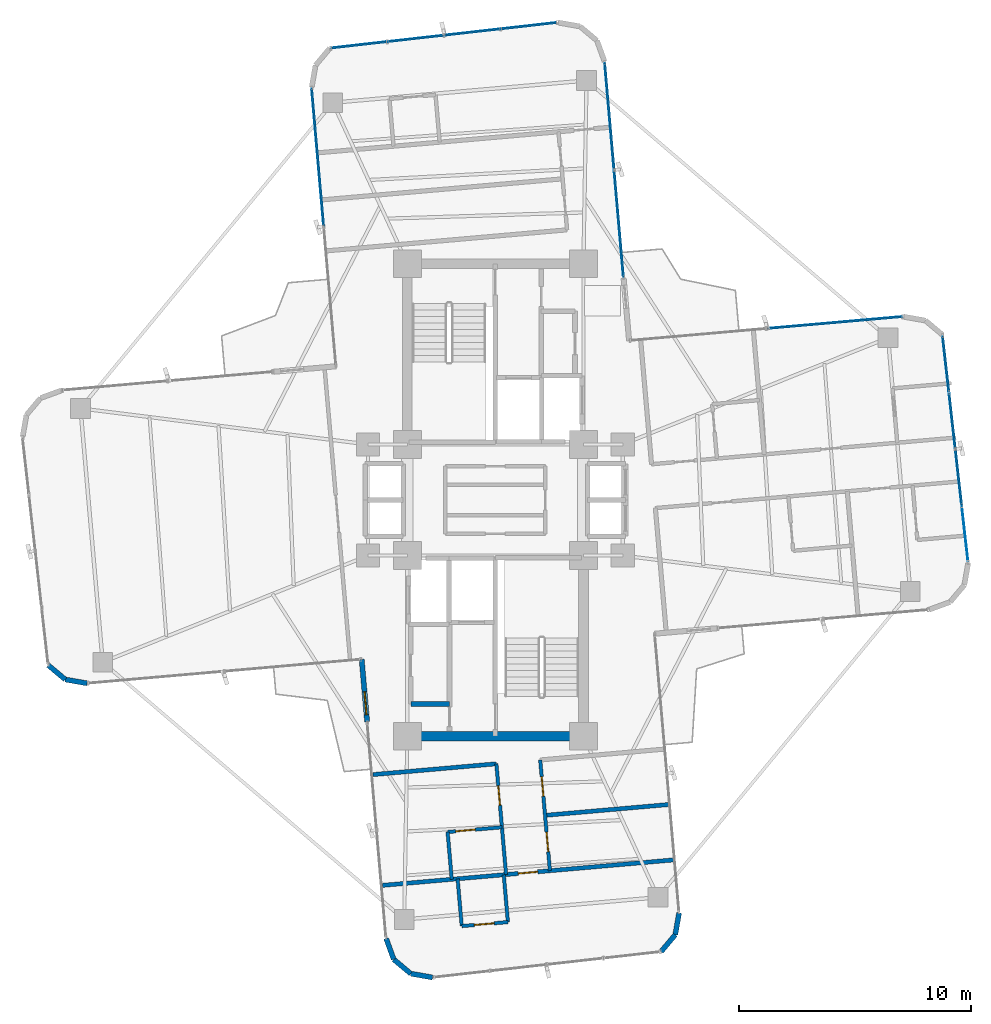
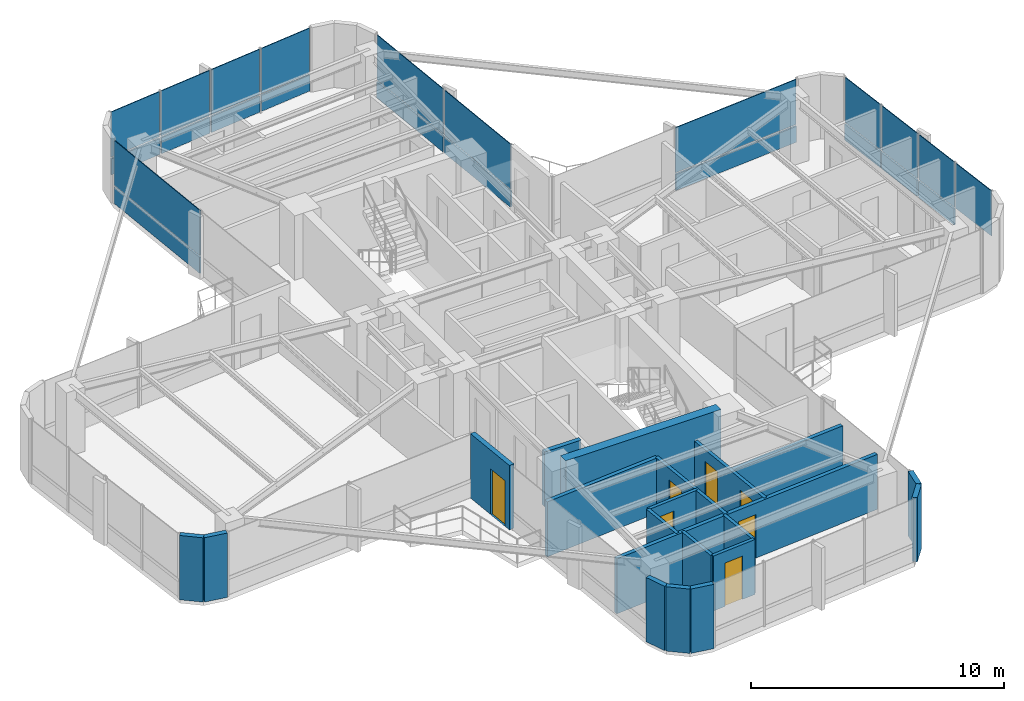
# One storey, part 20 of 24: 23 plates, 20 walls, 7 doors, 7 openings, 5 elements without a shape of their own.
"""IFC4 building model written with IfcOpenShell, lengths in metres."""

from ifc_helpers import new_model, si_unit, direction, frame, frame_2d, origin, origin_2d, place, context, subcontext, project, spatial, rectangle, extrude, source, transform, mapped, material, layer, layer_set, type_object, element, fill, aggregate, save


model = new_model("IFC4")

# Units and contexts
model_context = context("Model", 3, precision=1e-05, world=origin(), true_north=direction((0.0, 1.0)))
body_context = subcontext(model_context, "Body", "Model", "MODEL_VIEW")
ifc_project = project(units=[si_unit("LENGTHUNIT", "METRE"), si_unit("AREAUNIT", "SQUARE_METRE"), si_unit("VOLUMEUNIT", "CUBIC_METRE"), si_unit("PLANEANGLEUNIT", "RADIAN"), si_unit("MASSUNIT", "GRAM", prefix="KILO")], contexts=[model_context])

# Site, building, storey
site_placement = place(None, origin())
site = spatial("IfcSite", under=ifc_project, at=site_placement, CompositionType="ELEMENT")
building_placement = place(site_placement, origin())
building = spatial("IfcBuilding", under=site, at=building_placement, Name="Sahyath Konkavel Grand Hotel", CompositionType="ELEMENT")
storey_placement = place(building_placement, frame((0.0, 0.0, 188.60009765625)))
storey = spatial("IfcBuildingStorey", under=building, at=storey_placement, Name="L52", CompositionType="ELEMENT", Elevation=188.60009765625)

# Curtain wall, plates
ifc_material_1 = material(Name="Anodised Bronze Aluminium & Low-E Glazing", Category="aluminium")
curtain_wall_type = type_object("IfcCurtainWallType", Name="CW-ZONE3", PredefinedType="NOTDEFINED", material=ifc_material_1)
curtain_wall_1_placement = place(storey_placement, origin())
curtain_wall_1 = element("IfcCurtainWall", 1, at=curtain_wall_1_placement, inside=storey, type_object=curtain_wall_type, Name="L52 Unitised Curtain Wall F4", PredefinedType="NOTDEFINED")
ifc_material_2 = material(Name="Warm Buff Sandstone Cladding", Category="masonry")
ifc_layer_1 = layer(ifc_material_2, 0.074951171875)
ifc_layer_set_1 = layer_set([ifc_layer_1], Name="Warm Buff Sandstone Cladding")
plate_type_1 = type_object("IfcPlateType", Name="PNL-SPANDREL-STONE", PredefinedType="SHEET", material=ifc_layer_set_1)
shared_shape_1 = source(origin(), body_context, "Body", "SweptSolid", [
    extrude(rectangle(XDim=2.382080078125, YDim=0.074951171875, at=origin_2d()), origin(), (0.0, 0.0, 1.0), 0.77001953125),
])
plate_1_placement = place(storey_placement, frame((19.99755859375, 0.978515625, 0.039794921875), z_axis=(0.0, 0.0, 1.0), x_axis=(-0.111989252568, 0.993709417943, 0.0)))
plate_1 = element("IfcPlate", 2, at=plate_1_placement, type_object=plate_type_1, Name="L52 Sandstone Relief Spandrel Panel F4-1", PredefinedType="SHEET", context=body_context, shape_type="MappedRepresentation", body=[
    mapped(shared_shape_1, transform((0.0, 0.0, 0.0), scale=1.0)),
])
plate_2_placement = place(storey_placement, frame((19.7216796875, 3.425048828125, 0.039794921875), z_axis=(0.0, 0.0, 1.0), x_axis=(-0.111989252568, 0.993709417943, 0.0)))
plate_2 = element("IfcPlate", 3, at=plate_2_placement, type_object=plate_type_1, Name="L52 Sandstone Relief Spandrel Panel F4-2", PredefinedType="SHEET", context=body_context, shape_type="MappedRepresentation", body=[
    mapped(shared_shape_1, transform((0.0, 0.0, 0.0), scale=1.0)),
])
plate_3_placement = place(storey_placement, frame((19.446044921875, 5.87158203125, 0.039794921875), z_axis=(0.0, 0.0, 1.0), x_axis=(-0.111989252568, 0.993709417943, 0.0)))
plate_3 = element("IfcPlate", 4, at=plate_3_placement, type_object=plate_type_1, Name="L52 Sandstone Relief Spandrel Panel F4-3", PredefinedType="SHEET", context=body_context, shape_type="MappedRepresentation", body=[
    mapped(shared_shape_1, transform((0.0, 0.0, 0.0), scale=1.0)),
])

curtain_wall_2_placement = place(storey_placement, origin())
curtain_wall_2 = element("IfcCurtainWall", 5, at=curtain_wall_2_placement, inside=storey, type_object=curtain_wall_type, Name="L52 Unitised Curtain Wall F12", PredefinedType="NOTDEFINED")
plate_4_placement = place(storey_placement, frame((1.45068359375, 20.47265625, 0.039794921875), z_axis=(0.0, 0.0, 1.0), x_axis=(-0.993707463211, -0.112006596052, 0.0)))
plate_4 = element("IfcPlate", 6, at=plate_4_placement, type_object=plate_type_1, Name="L52 Sandstone Relief Spandrel Panel F12-0", PredefinedType="SHEET", context=body_context, shape_type="MappedRepresentation", body=[
    mapped(shared_shape_1, transform((0.0, 0.0, 0.0), scale=1.0)),
])
plate_5_placement = place(storey_placement, frame((-0.995849609375, 20.197021484375, 0.039794921875), z_axis=(0.0, 0.0, 1.0), x_axis=(-0.993707463211, -0.112006596052, 0.0)))
plate_5 = element("IfcPlate", 7, at=plate_5_placement, type_object=plate_type_1, Name="L52 Sandstone Relief Spandrel Panel F12-1", PredefinedType="SHEET", context=body_context, shape_type="MappedRepresentation", body=[
    mapped(shared_shape_1, transform((0.0, 0.0, 0.0), scale=1.0)),
])
plate_6_placement = place(storey_placement, frame((-3.4423828125, 19.921142578125, 0.039794921875), z_axis=(0.0, 0.0, 1.0), x_axis=(-0.993707463211, -0.112006596052, 0.0)))
plate_6 = element("IfcPlate", 8, at=plate_6_placement, type_object=plate_type_1, Name="L52 Sandstone Relief Spandrel Panel F12-2", PredefinedType="SHEET", context=body_context, shape_type="MappedRepresentation", body=[
    mapped(shared_shape_1, transform((0.0, 0.0, 0.0), scale=1.0)),
])
plate_7_placement = place(storey_placement, frame((-5.888916015625, 19.6455078125, 0.039794921875), z_axis=(0.0, 0.0, 1.0), x_axis=(-0.993707463211, -0.112006596052, 0.0)))
plate_7 = element("IfcPlate", 9, at=plate_7_placement, type_object=plate_type_1, Name="L52 Sandstone Relief Spandrel Panel F12-3", PredefinedType="SHEET", context=body_context, shape_type="MappedRepresentation", body=[
    mapped(shared_shape_1, transform((0.0, 0.0, 0.0), scale=1.0)),
])

# Curtain wall, plate
curtain_wall_3_placement = place(storey_placement, origin())
curtain_wall_3 = element("IfcCurtainWall", 10, at=curtain_wall_3_placement, inside=storey, type_object=curtain_wall_type, Name="L52 Unitised Curtain Wall F7", PredefinedType="NOTDEFINED")
shared_shape_2 = source(origin(), body_context, "Body", "SweptSolid", [
    extrude(rectangle(XDim=5.830078125, YDim=0.074951171875, at=origin_2d()), origin(), (0.0, 0.0, 1.0), 0.77001953125),
])
plate_8_placement = place(storey_placement, frame((14.6435546875, 7.655517578125, 0.039794921875), z_axis=(0.0, 0.0, 1.0), x_axis=(-0.996194698092, -0.087155742748, 0.0)))
plate_8 = element("IfcPlate", 11, at=plate_8_placement, type_object=plate_type_1, Name="L52 Sandstone Relief Spandrel Panel F7-0", PredefinedType="SHEET", context=body_context, shape_type="MappedRepresentation", body=[
    mapped(shared_shape_2, transform((0.0, 0.0, 0.0), scale=1.0)),
])

# Curtain wall, plates
curtain_wall_4_placement = place(storey_placement, origin())
curtain_wall_4 = element("IfcCurtainWall", 12, at=curtain_wall_4_placement, inside=storey, type_object=curtain_wall_type, Name="L52 Unitised Curtain Wall F8", PredefinedType="NOTDEFINED")
shared_shape_3 = source(origin(), body_context, "Body", "SweptSolid", [
    extrude(rectangle(XDim=4.580078125, YDim=0.074951171875, at=origin_2d()), origin(), (0.0, 0.0, 1.0), 0.77001953125),
])
plate_9_placement = place(storey_placement, frame((5.33056640625, 11.929931640625, 0.039794921875), z_axis=(0.0, 0.0, 1.0), x_axis=(-0.087155742748, 0.996194698092, 0.0)))
plate_9 = element("IfcPlate", 13, at=plate_9_placement, type_object=plate_type_1, Name="L52 Sandstone Relief Spandrel Panel F8-0", PredefinedType="SHEET", context=body_context, shape_type="MappedRepresentation", body=[
    mapped(shared_shape_3, transform((0.0, 0.0, 0.0), scale=1.0)),
])
plate_10_placement = place(storey_placement, frame((4.92431640625, 16.572265625, 0.039794921875), z_axis=(0.0, 0.0, 1.0), x_axis=(-0.087155742748, 0.996194698092, 0.0)))
plate_10 = element("IfcPlate", 14, at=plate_10_placement, type_object=plate_type_1, Name="L52 Sandstone Relief Spandrel Panel F8-1", PredefinedType="SHEET", context=body_context, shape_type="MappedRepresentation", body=[
    mapped(shared_shape_3, transform((0.0, 0.0, 0.0), scale=1.0)),
])

# Curtain wall, plate
curtain_wall_5_placement = place(storey_placement, origin())
curtain_wall_5 = element("IfcCurtainWall", 15, at=curtain_wall_5_placement, inside=storey, type_object=curtain_wall_type, Name="L52 Unitised Curtain Wall F15", PredefinedType="NOTDEFINED")
shared_shape_4 = source(origin(), body_context, "Body", "SweptSolid", [
    extrude(rectangle(XDim=5.929931640625, YDim=0.074951171875, at=origin_2d()), origin(), (0.0, 0.0, 1.0), 0.77001953125),
])
plate_11_placement = place(storey_placement, frame((-7.66845703125, 14.79296875, 0.039794921875), z_axis=(0.0, 0.0, 1.0), x_axis=(0.087155742748, -0.996194698092, 0.0)))
plate_11 = element("IfcPlate", 16, at=plate_11_placement, type_object=plate_type_1, Name="L52 Sandstone Relief Spandrel Panel F15-0", PredefinedType="SHEET", context=body_context, shape_type="MappedRepresentation", body=[
    mapped(shared_shape_4, transform((0.0, 0.0, 0.0), scale=1.0)),
])

# Plate
ifc_material_3 = material(Name="Low-E Solar Control Double Glazing", Category="glass")
ifc_layer_2 = layer(ifc_material_3, 0.035888671875)
ifc_layer_set_2 = layer_set([ifc_layer_2], Name="Low-E Solar Control Double Glazing")
plate_type_2 = type_object("IfcPlateType", Name="PNL-VISION-LOWE", PredefinedType="CURTAIN_PANEL", material=ifc_layer_set_2)
shared_shape_5 = source(origin(), body_context, "Body", "SweptSolid", [
    extrude(rectangle(XDim=2.382080078125, YDim=0.035888671875, at=origin_2d()), origin(), (0.0, 0.0, 1.0), 2.179931640625),
])
plate_12_placement = place(storey_placement, frame((20.2734375, -1.468017578125, 0.89013671875), z_axis=(0.0, 0.0, 1.0), x_axis=(-0.111989252568, 0.993709417943, 0.0)))
plate_12 = element("IfcPlate", 17, at=plate_12_placement, type_object=plate_type_2, Name="L52 Low-E Vision Glazing Panel F4-0", PredefinedType="CURTAIN_PANEL", context=body_context, shape_type="MappedRepresentation", body=[
    mapped(shared_shape_5, transform((0.0, 0.0, 0.0), scale=1.0)),
])

plate_13_placement = place(storey_placement, frame((19.99755859375, 0.978515625, 0.89013671875), z_axis=(0.0, 0.0, 1.0), x_axis=(-0.111989252568, 0.993709417943, 0.0)))
plate_13 = element("IfcPlate", 18, at=plate_13_placement, type_object=plate_type_2, Name="L52 Low-E Vision Glazing Panel F4-1", PredefinedType="CURTAIN_PANEL", context=body_context, shape_type="MappedRepresentation", body=[
    mapped(shared_shape_5, transform((0.0, 0.0, 0.0), scale=1.0)),
])

plate_14_placement = place(storey_placement, frame((19.7216796875, 3.425048828125, 0.89013671875), z_axis=(0.0, 0.0, 1.0), x_axis=(-0.111989252568, 0.993709417943, 0.0)))
plate_14 = element("IfcPlate", 19, at=plate_14_placement, type_object=plate_type_2, Name="L52 Low-E Vision Glazing Panel F4-2", PredefinedType="CURTAIN_PANEL", context=body_context, shape_type="MappedRepresentation", body=[
    mapped(shared_shape_5, transform((0.0, 0.0, 0.0), scale=1.0)),
])

plate_15_placement = place(storey_placement, frame((19.446044921875, 5.87158203125, 0.89013671875), z_axis=(0.0, 0.0, 1.0), x_axis=(-0.111989252568, 0.993709417943, 0.0)))
plate_15 = element("IfcPlate", 20, at=plate_15_placement, type_object=plate_type_2, Name="L52 Low-E Vision Glazing Panel F4-3", PredefinedType="CURTAIN_PANEL", context=body_context, shape_type="MappedRepresentation", body=[
    mapped(shared_shape_5, transform((0.0, 0.0, 0.0), scale=1.0)),
])

aggregate(curtain_wall_1, [plate_12, plate_1, plate_13, plate_2, plate_14, plate_3, plate_15])

plate_16_placement = place(storey_placement, frame((1.45068359375, 20.47265625, 0.89013671875), z_axis=(0.0, 0.0, 1.0), x_axis=(-0.993707463211, -0.112006596052, 0.0)))
plate_16 = element("IfcPlate", 21, at=plate_16_placement, type_object=plate_type_2, Name="L52 Low-E Vision Glazing Panel F12-0", PredefinedType="CURTAIN_PANEL", context=body_context, shape_type="MappedRepresentation", body=[
    mapped(shared_shape_5, transform((0.0, 0.0, 0.0), scale=1.0)),
])

plate_17_placement = place(storey_placement, frame((-0.995849609375, 20.197021484375, 0.89013671875), z_axis=(0.0, 0.0, 1.0), x_axis=(-0.993707463211, -0.112006596052, 0.0)))
plate_17 = element("IfcPlate", 22, at=plate_17_placement, type_object=plate_type_2, Name="L52 Low-E Vision Glazing Panel F12-1", PredefinedType="CURTAIN_PANEL", context=body_context, shape_type="MappedRepresentation", body=[
    mapped(shared_shape_5, transform((0.0, 0.0, 0.0), scale=1.0)),
])

plate_18_placement = place(storey_placement, frame((-3.4423828125, 19.921142578125, 0.89013671875), z_axis=(0.0, 0.0, 1.0), x_axis=(-0.993707463211, -0.112006596052, 0.0)))
plate_18 = element("IfcPlate", 23, at=plate_18_placement, type_object=plate_type_2, Name="L52 Low-E Vision Glazing Panel F12-2", PredefinedType="CURTAIN_PANEL", context=body_context, shape_type="MappedRepresentation", body=[
    mapped(shared_shape_5, transform((0.0, 0.0, 0.0), scale=1.0)),
])

plate_19_placement = place(storey_placement, frame((-5.888916015625, 19.6455078125, 0.89013671875), z_axis=(0.0, 0.0, 1.0), x_axis=(-0.993707463211, -0.112006596052, 0.0)))
plate_19 = element("IfcPlate", 24, at=plate_19_placement, type_object=plate_type_2, Name="L52 Low-E Vision Glazing Panel F12-3", PredefinedType="CURTAIN_PANEL", context=body_context, shape_type="MappedRepresentation", body=[
    mapped(shared_shape_5, transform((0.0, 0.0, 0.0), scale=1.0)),
])

aggregate(curtain_wall_2, [plate_4, plate_16, plate_5, plate_17, plate_6, plate_18, plate_7, plate_19])

shared_shape_6 = source(origin(), body_context, "Body", "SweptSolid", [
    extrude(rectangle(XDim=5.830078125, YDim=0.035888671875, at=origin_2d()), origin(), (0.0, 0.0, 1.0), 2.179931640625),
])
plate_20_placement = place(storey_placement, frame((14.6435546875, 7.655517578125, 0.89013671875), z_axis=(0.0, 0.0, 1.0), x_axis=(-0.996194698092, -0.087155742748, 0.0)))
plate_20 = element("IfcPlate", 25, at=plate_20_placement, type_object=plate_type_2, Name="L52 Low-E Vision Glazing Panel F7-0", PredefinedType="CURTAIN_PANEL", context=body_context, shape_type="MappedRepresentation", body=[
    mapped(shared_shape_6, transform((0.0, 0.0, 0.0), scale=1.0)),
])

aggregate(curtain_wall_3, [plate_8, plate_20])

shared_shape_7 = source(origin(), body_context, "Body", "SweptSolid", [
    extrude(rectangle(XDim=4.580078125, YDim=0.035888671875, at=origin_2d()), origin(), (0.0, 0.0, 1.0), 2.179931640625),
])
plate_21_placement = place(storey_placement, frame((5.33056640625, 11.929931640625, 0.89013671875), z_axis=(0.0, 0.0, 1.0), x_axis=(-0.087155742748, 0.996194698092, 0.0)))
plate_21 = element("IfcPlate", 26, at=plate_21_placement, type_object=plate_type_2, Name="L52 Low-E Vision Glazing Panel F8-0", PredefinedType="CURTAIN_PANEL", context=body_context, shape_type="MappedRepresentation", body=[
    mapped(shared_shape_7, transform((0.0, 0.0, 0.0), scale=1.0)),
])

plate_22_placement = place(storey_placement, frame((4.92431640625, 16.572265625, 0.89013671875), z_axis=(0.0, 0.0, 1.0), x_axis=(-0.087155742748, 0.996194698092, 0.0)))
plate_22 = element("IfcPlate", 27, at=plate_22_placement, type_object=plate_type_2, Name="L52 Low-E Vision Glazing Panel F8-1", PredefinedType="CURTAIN_PANEL", context=body_context, shape_type="MappedRepresentation", body=[
    mapped(shared_shape_7, transform((0.0, 0.0, 0.0), scale=1.0)),
])

aggregate(curtain_wall_4, [plate_9, plate_21, plate_10, plate_22])

shared_shape_8 = source(origin(), body_context, "Body", "SweptSolid", [
    extrude(rectangle(XDim=5.929931640625, YDim=0.035888671875, at=origin_2d()), origin(), (0.0, 0.0, 1.0), 2.179931640625),
])
plate_23_placement = place(storey_placement, frame((-7.66845703125, 14.79296875, 0.89013671875), z_axis=(0.0, 0.0, 1.0), x_axis=(0.087155742748, -0.996194698092, 0.0)))
plate_23 = element("IfcPlate", 28, at=plate_23_placement, type_object=plate_type_2, Name="L52 Low-E Vision Glazing Panel F15-0", PredefinedType="CURTAIN_PANEL", context=body_context, shape_type="MappedRepresentation", body=[
    mapped(shared_shape_8, transform((0.0, 0.0, 0.0), scale=1.0)),
])

aggregate(curtain_wall_5, [plate_11, plate_23])

# Walls
ifc_material_4 = material(Name="Concrete C50/60", Category="concrete")
ifc_layer_3 = layer(ifc_material_4, 0.419921875)
ifc_layer_set_3 = layer_set([ifc_layer_3], Name="Concrete C50/60")
wall_type_1 = type_object("IfcWallType", Name="CWALL-420", PredefinedType="SHEAR", material=ifc_layer_set_3)
wall_1_placement = place(storey_placement, frame((-3.550048828125, -10.199951171875, 0.0), z_axis=(0.0, 0.0, 1.0), x_axis=(1.0, 0.0, 0.0)))
element("IfcWall", 29, at=wall_1_placement, inside=storey, type_object=wall_type_1, Name="L52 South Core Shear Wall S", PredefinedType="SHEAR", context=body_context, shape_type="SweptSolid", body=[
    extrude(rectangle(XDim=7.10009765625, YDim=0.419921875, at=frame_2d((3.550048828125, 0.0))), origin(), (0.0, 0.0, 1.0), 3.10986328125),
])
ifc_material_5 = material(Name="Warm Buff Sandstone Insulated Concrete C40/50", Category="masonry")
ifc_layer_4 = layer(ifc_material_5, 0.219970703125)
ifc_layer_set_4 = layer_set([ifc_layer_4], Name="Warm Buff Sandstone Insulated Concrete C40/50")
wall_type_2 = type_object("IfcWallType", Name="WLL-BALC-THRESH", PredefinedType="STANDARD", material=ifc_layer_set_4)
wall_2_placement = place(storey_placement, frame((-19.3037109375, -7.134521484375, 0.0), z_axis=(0.0, 0.0, 1.0), x_axis=(0.766001159887, -0.642839189107, 0.0)))
element("IfcWall", 30, at=wall_2_placement, inside=storey, type_object=wall_type_2, Name="L52 Rounded Corner Sandstone Pier 21", PredefinedType="STANDARD", context=body_context, shape_type="SweptSolid", body=[
    extrude(rectangle(XDim=0.95751953125, YDim=0.219970703125, at=frame_2d((0.478759765625, 0.0))), origin(), (0.0, 0.0, 1.0), 3.10986328125),
])
wall_3_placement = place(storey_placement, frame((-18.5703125, -7.75, 0.0), z_axis=(0.0, 0.0, 1.0), x_axis=(0.984770724397, -0.173858046606, 0.0)))
element("IfcWall", 31, at=wall_3_placement, inside=storey, type_object=wall_type_2, Name="L52 Rounded Corner Sandstone Pier 22", PredefinedType="STANDARD", context=body_context, shape_type="SweptSolid", body=[
    extrude(rectangle(XDim=0.957763671875, YDim=0.219970703125, at=frame_2d((0.47900390625, 0.0))), origin(), (0.0, 0.0, 1.0), 3.10986328125),
])

# Wall, opening, door
wall_4_placement = place(storey_placement, frame((-5.7724609375, -6.87939453125, 0.0), z_axis=(0.0, 0.0, 1.0), x_axis=(0.087168071984, -0.996193619346, 0.0)))
wall_4 = element("IfcWall", 32, at=wall_4_placement, inside=storey, type_object=wall_type_2, Name="L52 Winter-Garden Threshold Wall 24", PredefinedType="STANDARD", context=body_context, shape_type="SweptSolid", body=[
    extrude(rectangle(XDim=2.699951171875, YDim=0.219970703125, at=frame_2d((1.35009765625, 0.0))), origin(), (0.0, 0.0, 1.0), 3.10986328125),
])
opening_1_placement = place(wall_4_placement, frame((1.39990234375, 0.0, 0.0)))
opening_1 = element("IfcOpeningElement", 33, at=opening_1_placement, cuts=wall_4, Name="Opening D-TR1", PredefinedType="OPENING", context=body_context, shape_type="SweptSolid", body=[
    extrude(rectangle(XDim=1.0, YDim=2.199951171875, at=frame_2d((0.5, 1.10009765625))), frame((0.0, 0.1201171875, 0.0), z_axis=(0.0, -1.0, 0.0), x_axis=(1.0, 0.0, 0.0)), (0.0, 0.0, 1.0), 0.239990234375),
])
door_type_1 = type_object("IfcDoorType", Name="DR-TERRACE-1000", OperationType="NOTDEFINED", PredefinedType="DOOR", material=ifc_material_1)
shared_shape_9 = source(origin(), body_context, "Body", "SweptSolid", [
    extrude(rectangle(XDim=1.0, YDim=0.050048828125, at=origin_2d()), origin(), (0.0, 0.0, 1.0), 2.199951171875),
])
door_1_placement = place(opening_1_placement, frame((0.5, 0.0, 0.0)))
door_1 = element("IfcDoor", 34, at=door_1_placement, inside=storey, type_object=door_type_1, Name="L52 Winter-Garden Terrace Door 24", OperationType="SINGLE_SWING_LEFT", OverallHeight=2.199951171875, OverallWidth=1.0, PredefinedType="DOOR", context=body_context, shape_type="MappedRepresentation", body=[
    mapped(shared_shape_9, transform((0.0, 0.0, 0.0), scale=1.0)),
])
fill(opening_1, door_1)

# Walls
wall_5_placement = place(storey_placement, frame((-4.7177734375, -18.93310546875, 0.0), z_axis=(0.0, 0.0, 1.0), x_axis=(0.34188635151, -0.939741306239, 0.0)))
element("IfcWall", 35, at=wall_5_placement, inside=storey, type_object=wall_type_2, Name="L52 Rounded Corner Sandstone Pier 25", PredefinedType="STANDARD", context=body_context, shape_type="SweptSolid", body=[
    extrude(rectangle(XDim=0.95751953125, YDim=0.219970703125, at=frame_2d((0.478759765625, 0.0))), origin(), (0.0, 0.0, 1.0), 3.10986328125),
])
for number, where, z_axis, x_axis, name in (
    (36, (-4.390380859375, -19.8330078125, 0.0), (0.0, 0.0, 1.0), (0.765980978054, -0.642863236823, 0.0), "L52 Rounded Corner Sandstone Pier 26"),
    (37, (-3.65673828125, -20.44873046875, 0.0), (0.0, 0.0, 1.0), (0.984814340885, -0.173610811841, 0.0), "L52 Rounded Corner Sandstone Pier 27"),
):
    element("IfcWall", number, at=place(storey_placement, frame(where, z_axis=z_axis, x_axis=x_axis)), inside=storey, type_object=wall_type_2, Name=name, PredefinedType="STANDARD", context=body_context, shape_type="SweptSolid", body=[
        extrude(rectangle(XDim=0.957763671875, YDim=0.219970703125, at=frame_2d((0.47900390625, 0.0))), origin(), (0.0, 0.0, 1.0), 3.10986328125),
    ])
for number, where, z_axis, x_axis, name in (
    (38, (7.152099609375, -19.5029296875, 0.0), (0.0, 0.0, 1.0), (0.642713642115, 0.766106503196, 0.0), "L52 Rounded Corner Sandstone Pier 29"),
    (39, (7.767578125, -18.769287109375, 0.0), (0.0, 0.0, 1.0), (0.173654409999, 0.984806654064, 0.0), "L52 Rounded Corner Sandstone Pier 30"),
):
    element("IfcWall", number, at=place(storey_placement, frame(where, z_axis=z_axis, x_axis=x_axis)), inside=storey, type_object=wall_type_2, Name=name, PredefinedType="STANDARD", context=body_context, shape_type="SweptSolid", body=[
        extrude(rectangle(XDim=0.95751953125, YDim=0.219970703125, at=frame_2d((0.478759765625, 0.0))), origin(), (0.0, 0.0, 1.0), 3.10986328125),
    ])
ifc_material_6 = material(Name="Concrete C40/50", Category="concrete")
ifc_layer_5 = layer(ifc_material_6, 0.199951171875)
ifc_layer_set_5 = layer_set([ifc_layer_5], Name="Concrete C40/50")
wall_type_3 = type_object("IfcWallType", Name="WLL-CORE-200", PredefinedType="SOLIDWALL", material=ifc_layer_set_5)
wall_6_placement = place(storey_placement, frame((-3.64990234375, -8.81005859375, 0.0), z_axis=(0.0, 0.0, 1.0), x_axis=(1.0, 0.0, 0.0)))
element("IfcWall", 40, at=wall_6_placement, inside=storey, type_object=wall_type_3, Name="L52 Partition SC-REC-S", PredefinedType="SOLIDWALL", context=body_context, shape_type="SweptSolid", body=[
    extrude(rectangle(XDim=1.669921875, YDim=0.199951171875, at=frame_2d((0.8349609375, 0.0))), origin(), (0.0, 0.0, 1.0), 2.659912109375),
])
ifc_material_7 = material(Name="Twin-Stud Acoustic Gypsum Plasterboard Partition")
ifc_layer_6 = layer(ifc_material_7, 0.179931640625)
ifc_layer_set_6 = layer_set([ifc_layer_6], Name="Twin-Stud Acoustic Gypsum Plasterboard Partition")
wall_type_4 = type_object("IfcWallType", Name="WLL-DEMISE-180", PredefinedType="PARTITIONING", material=ifc_layer_set_6)
for number, where, z_axis, x_axis, name in (
    (41, (-5.286865234375, -11.85595703125, 0.0), (0.0, 0.0, 1.0), (0.996194212812, 0.087161289348, 0.0), "L52 Partition S-INR"),
    (42, (2.144775390625, -13.614990234375, 0.0), (0.0, 0.0, 1.0), (0.996194212812, 0.087161289348, 0.0), "L52 Partition S-S4L1-DEM"),
):
    element("IfcWall", number, at=place(storey_placement, frame(where, z_axis=z_axis, x_axis=x_axis)), inside=storey, type_object=wall_type_4, Name=name, PredefinedType="PARTITIONING", context=body_context, shape_type="SweptSolid", body=[
        extrude(rectangle(XDim=5.349853515625, YDim=0.179931640625, at=frame_2d((2.6748046875, 0.0))), origin(), (0.0, 0.0, 1.0), 2.659912109375),
    ])

# Wall, opening, door
wall_7_placement = place(storey_placement, frame((-4.868408203125, -16.6376953125, 0.0), z_axis=(0.0, 0.0, 1.0), x_axis=(0.996194790044, 0.087154691724, 0.0)))
wall_7 = element("IfcWall", 43, at=wall_7_placement, inside=storey, type_object=wall_type_4, Name="L52 Partition S-STIP-END", PredefinedType="PARTITIONING", context=body_context, shape_type="SweptSolid", body=[
    extrude(rectangle(XDim=12.599853515625, YDim=0.179931640625, at=frame_2d((6.2998046875, 0.0))), origin(), (0.0, 0.0, 1.0), 2.659912109375),
])
opening_2_placement = place(wall_7_placement, frame((5.875, 0.0, 0.0)))
opening_2 = element("IfcOpeningElement", 44, at=opening_2_placement, cuts=wall_7, Name="Opening D-F06D", PredefinedType="OPENING", context=body_context, shape_type="SweptSolid", body=[
    extrude(rectangle(XDim=0.85009765625, YDim=2.10009765625, at=frame_2d((0.425048828125, 1.050048828125))), frame((0.0, 0.10009765625, 0.0), z_axis=(0.0, -1.0, 0.0), x_axis=(1.0, 0.0, 0.0)), (0.0, 0.0, 1.0), 0.199951171875),
])
ifc_material_8 = material(Name="Fire-Rated Shaft Access Door")
door_type_2 = type_object("IfcDoorType", Name="DR-FD60-850", OperationType="NOTDEFINED", PredefinedType="DOOR", material=ifc_material_8)
shared_shape_10 = source(origin(), body_context, "Body", "SweptSolid", [
    extrude(rectangle(XDim=0.85009765625, YDim=0.050048828125, at=origin_2d()), origin(), (0.0, 0.0, 1.0), 2.10009765625),
])
door_2_placement = place(opening_2_placement, frame((0.425048828125, 0.0, 0.0)))
door_2 = element("IfcDoor", 45, at=door_2_placement, inside=storey, type_object=door_type_2, Name="L52 Door S-STIP-ED", OperationType="SINGLE_SWING_RIGHT", OverallHeight=2.10009765625, OverallWidth=0.85009765625, PredefinedType="DOOR", context=body_context, shape_type="MappedRepresentation", body=[
    mapped(shared_shape_10, transform((0.0, 0.0, 0.0), scale=1.0)),
])
fill(opening_2, door_2)

# Wall, openings, doors
ifc_material_9 = material(Name="Fire-Rated Gypsum Plasterboard Partition")
ifc_layer_7 = layer(ifc_material_9, 0.14990234375)
ifc_layer_set_7 = layer_set([ifc_layer_7], Name="Fire-Rated Gypsum Plasterboard Partition")
wall_type_5 = type_object("IfcWallType", Name="WLL-PART-150", PredefinedType="PARTITIONING", material=ifc_layer_set_7)
wall_8_placement = place(storey_placement, frame((1.935546875, -11.22412109375, 0.0), z_axis=(0.0, 0.0, 1.0), x_axis=(0.087182724829, -0.996192337097, 0.0)))
wall_8 = element("IfcWall", 46, at=wall_8_placement, inside=storey, type_object=wall_type_5, Name="L52 Partition S-CL", PredefinedType="PARTITIONING", context=body_context, shape_type="SweptSolid", body=[
    extrude(rectangle(XDim=4.7998046875, YDim=0.14990234375, at=frame_2d((2.39990234375, 0.0))), origin(), (0.0, 0.0, 1.0), 2.659912109375),
])
opening_3_placement = place(wall_8_placement, frame((0.72509765625, 0.0, 0.0)))
opening_3 = element("IfcOpeningElement", 47, at=opening_3_placement, cuts=wall_8, Name="Opening D-F06D", PredefinedType="OPENING", context=body_context, shape_type="SweptSolid", body=[
    extrude(rectangle(XDim=0.85009765625, YDim=2.10009765625, at=frame_2d((0.425048828125, 1.050048828125))), frame((0.0, 0.0849609375, 0.0), z_axis=(0.0, -1.0, 0.0), x_axis=(1.0, 0.0, 0.0)), (0.0, 0.0, 1.0), 0.169921875),
])
opening_4_placement = place(wall_8_placement, frame((3.125, 0.0, 0.0)))
opening_4 = element("IfcOpeningElement", 48, at=opening_4_placement, cuts=wall_8, Name="Opening D-F06D", PredefinedType="OPENING", context=body_context, shape_type="SweptSolid", body=[
    extrude(rectangle(XDim=0.85009765625, YDim=2.10009765625, at=frame_2d((0.425048828125, 1.050048828125))), frame((0.0, 0.0849609375, 0.0), z_axis=(0.0, -1.0, 0.0), x_axis=(1.0, 0.0, 0.0)), (0.0, 0.0, 1.0), 0.169921875),
])
door_3_placement = place(opening_3_placement, frame((0.425048828125, 0.0, 0.0)))
door_3 = element("IfcDoor", 49, at=door_3_placement, inside=storey, type_object=door_type_2, Name="L52 Door S-S4L1-D", OperationType="SINGLE_SWING_LEFT", OverallHeight=2.10009765625, OverallWidth=0.85009765625, PredefinedType="DOOR", context=body_context, shape_type="MappedRepresentation", body=[
    mapped(shared_shape_10, transform((0.0, 0.0, 0.0), scale=1.0)),
])
fill(opening_3, door_3)
door_4_placement = place(opening_4_placement, frame((0.425048828125, 0.0, 0.0)))
door_4 = element("IfcDoor", 50, at=door_4_placement, inside=storey, type_object=door_type_2, Name="L52 Door S-S4L2-D", OperationType="SINGLE_SWING_RIGHT", OverallHeight=2.10009765625, OverallWidth=0.85009765625, PredefinedType="DOOR", context=body_context, shape_type="MappedRepresentation", body=[
    mapped(shared_shape_10, transform((0.0, 0.0, 0.0), scale=1.0)),
])
fill(opening_4, door_4)

# Wall, opening, door
wall_9_placement = place(storey_placement, frame((0.042724609375, -11.3896484375, 0.0), z_axis=(0.0, 0.0, 1.0), x_axis=(0.087178307383, -0.996192723684, 0.0)))
wall_9 = element("IfcWall", 51, at=wall_9_placement, inside=storey, type_object=wall_type_5, Name="L52 Partition S-CR", PredefinedType="PARTITIONING", context=body_context, shape_type="SweptSolid", body=[
    extrude(rectangle(XDim=4.800048828125, YDim=0.14990234375, at=frame_2d((2.39990234375, 0.0))), origin(), (0.0, 0.0, 1.0), 2.659912109375),
])
opening_5_placement = place(wall_9_placement, frame((0.949951171875, 0.0, 0.0)))
opening_5 = element("IfcOpeningElement", 52, at=opening_5_placement, cuts=wall_9, Name="Opening D-F06D", PredefinedType="OPENING", context=body_context, shape_type="SweptSolid", body=[
    extrude(rectangle(XDim=0.85009765625, YDim=2.10009765625, at=frame_2d((0.425048828125, 1.050048828125))), frame((0.0, 0.0849609375, 0.0), z_axis=(0.0, -1.0, 0.0), x_axis=(1.0, 0.0, 0.0)), (0.0, 0.0, 1.0), 0.169921875),
])
door_5_placement = place(opening_5_placement, frame((0.425048828125, 0.0, 0.0)))
door_5 = element("IfcDoor", 53, at=door_5_placement, inside=storey, type_object=door_type_2, Name="L52 Door S-S4R1-ED", OperationType="SINGLE_SWING_RIGHT", OverallHeight=2.10009765625, OverallWidth=0.85009765625, PredefinedType="DOOR", context=body_context, shape_type="MappedRepresentation", body=[
    mapped(shared_shape_10, transform((0.0, 0.0, 0.0), scale=1.0)),
])
fill(opening_5, door_5)

wall_10_placement = place(storey_placement, frame((0.282470703125, -14.129150390625, 0.0), z_axis=(0.0, 0.0, 1.0), x_axis=(-0.996197656711, -0.087121918963, 0.0)))
wall_10 = element("IfcWall", 54, at=wall_10_placement, inside=storey, type_object=wall_type_5, Name="L52 Partition S-S4R1-BS", PredefinedType="PARTITIONING", context=body_context, shape_type="SweptSolid", body=[
    extrude(rectangle(XDim=2.35400390625, YDim=0.14990234375, at=frame_2d((1.177001953125, 0.0))), origin(), (0.0, 0.0, 1.0), 2.659912109375),
])
opening_6_placement = place(wall_10_placement, frame((1.154052734375, 0.0, 0.0)))
opening_6 = element("IfcOpeningElement", 55, at=opening_6_placement, cuts=wall_10, Name="Opening D-BT85", PredefinedType="OPENING", context=body_context, shape_type="SweptSolid", body=[
    extrude(rectangle(XDim=0.85009765625, YDim=2.10009765625, at=frame_2d((0.425048828125, 1.050048828125))), frame((0.0, 0.0849609375, 0.0), z_axis=(0.0, -1.0, 0.0), x_axis=(1.0, 0.0, 0.0)), (0.0, 0.0, 1.0), 0.169921875),
])
ifc_material_10 = material(Name="Moisture-Resistant Teak Bathroom Door")
door_type_3 = type_object("IfcDoorType", Name="DR-BATH-850", OperationType="NOTDEFINED", PredefinedType="DOOR", material=ifc_material_10)
door_6_placement = place(opening_6_placement, frame((0.425048828125, 0.0, 0.0)))
door_6 = element("IfcDoor", 56, at=door_6_placement, inside=storey, type_object=door_type_3, Name="L52 Door S-S4R1-BD", OperationType="SINGLE_SWING_LEFT", OverallHeight=2.10009765625, OverallWidth=0.85009765625, PredefinedType="DOOR", context=body_context, shape_type="MappedRepresentation", body=[
    mapped(shared_shape_10, transform((0.0, 0.0, 0.0), scale=1.0)),
])
fill(opening_6, door_6)

# Walls
for number, where, z_axis, x_axis, name in (
    (57, (-2.0625, -14.334228515625, 0.0), (0.0, 0.0, 1.0), (0.087174336889, -0.99619307114, 0.0), "L52 Partition S-S4R1-BF"),
    (58, (0.361572265625, -16.18017578125, 0.0), (0.0, 0.0, 1.0), (0.087174336889, -0.99619307114, 0.0), "L52 Partition S-STIP-BN"),
):
    element("IfcWall", number, at=place(storey_placement, frame(where, z_axis=z_axis, x_axis=x_axis)), inside=storey, type_object=wall_type_5, Name=name, PredefinedType="PARTITIONING", context=body_context, shape_type="SweptSolid", body=[
        extrude(rectangle(XDim=2.050048828125, YDim=0.14990234375, at=frame_2d((1.02490234375, 0.0))), origin(), (0.0, 0.0, 1.0), 2.659912109375),
    ])
wall_11_placement = place(storey_placement, frame((-1.630859375, -16.3544921875, 0.0), z_axis=(0.0, 0.0, 1.0), x_axis=(0.087184680235, -0.996192165966, 0.0)))
element("IfcWall", 59, at=wall_11_placement, inside=storey, type_object=wall_type_5, Name="L52 Partition S-STIP-BS", PredefinedType="PARTITIONING", context=body_context, shape_type="SweptSolid", body=[
    extrude(rectangle(XDim=2.0498046875, YDim=0.14990234375, at=frame_2d((1.02490234375, 0.0))), origin(), (0.0, 0.0, 1.0), 2.659912109375),
])

# Wall, opening, door
wall_12_placement = place(storey_placement, frame((-1.4521484375, -18.396484375, 0.0), z_axis=(0.0, 0.0, 1.0), x_axis=(0.996205236158, 0.087035208109, 0.0)))
wall_12 = element("IfcWall", 60, at=wall_12_placement, inside=storey, type_object=wall_type_5, Name="L52 Partition S-STIP-BE", PredefinedType="PARTITIONING", context=body_context, shape_type="SweptSolid", body=[
    extrude(rectangle(XDim=2.0, YDim=0.14990234375, at=frame_2d((1.0, 0.0))), origin(), (0.0, 0.0, 1.0), 2.659912109375),
])
opening_7_placement = place(wall_12_placement, frame((0.550048828125, 0.0, 0.0)))
opening_7 = element("IfcOpeningElement", 61, at=opening_7_placement, cuts=wall_12, Name="Opening D-BT85", PredefinedType="OPENING", context=body_context, shape_type="SweptSolid", body=[
    extrude(rectangle(XDim=0.85009765625, YDim=2.10009765625, at=frame_2d((0.425048828125, 1.050048828125))), frame((0.0, 0.0849609375, 0.0), z_axis=(0.0, -1.0, 0.0), x_axis=(1.0, 0.0, 0.0)), (0.0, 0.0, 1.0), 0.169921875),
])
door_7_placement = place(opening_7_placement, frame((0.425048828125, 0.0, 0.0)))
door_7 = element("IfcDoor", 62, at=door_7_placement, inside=storey, type_object=door_type_3, Name="L52 Door S-STIP-BD", OperationType="SINGLE_SWING_LEFT", OverallHeight=2.10009765625, OverallWidth=0.85009765625, PredefinedType="DOOR", context=body_context, shape_type="MappedRepresentation", body=[
    mapped(shared_shape_10, transform((0.0, 0.0, 0.0), scale=1.0)),
])
fill(opening_7, door_7)

save(model, "model.ifc")
